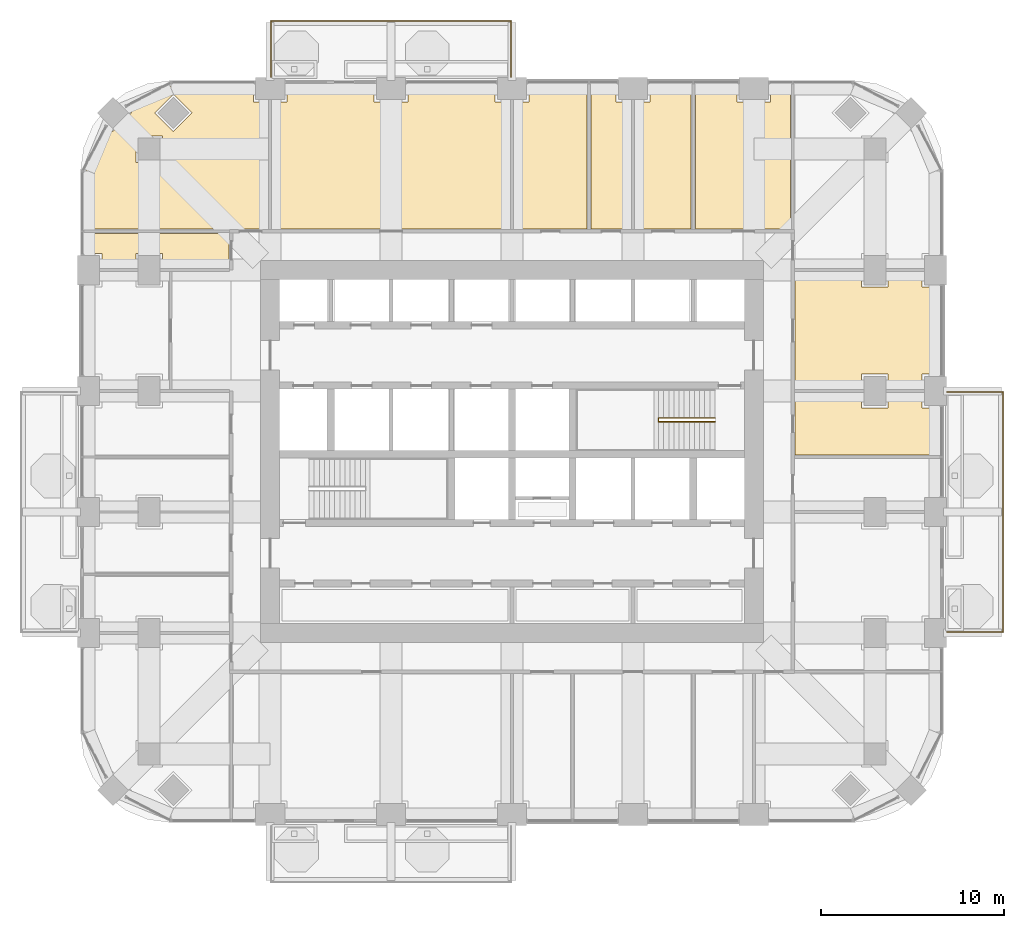
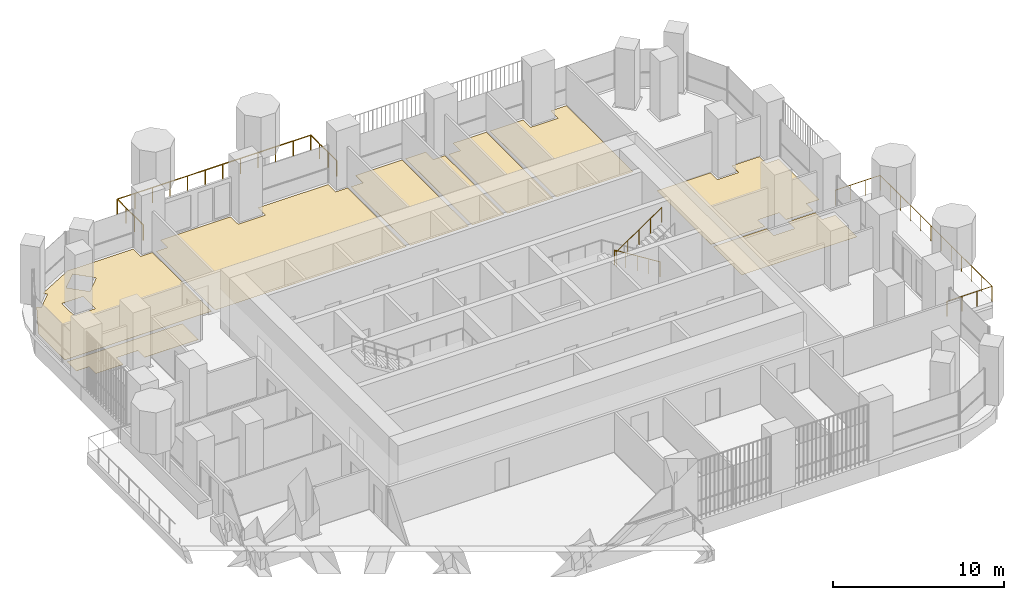
# One storey, part 18 of 20: 9 coverings, 3 railings.
"""IFC4 building model written with IfcOpenShell, lengths in metres."""

from ifc_helpers import new_model, si_unit, direction, frame, origin, place, context, subcontext, project, spatial, polyline, outline, extrude, material, layer, layer_set, type_object, element, save


model = new_model("IFC4")

# Units and contexts
model_context = context("Model", 3, precision=1e-05, world=origin(), true_north=direction((0.0, 1.0)))
body_context = subcontext(model_context, "Body", "Model", "MODEL_VIEW")
ifc_project = project(units=[si_unit("LENGTHUNIT", "METRE"), si_unit("AREAUNIT", "SQUARE_METRE"), si_unit("VOLUMEUNIT", "CUBIC_METRE"), si_unit("PLANEANGLEUNIT", "RADIAN"), si_unit("MASSUNIT", "GRAM", prefix="KILO")], contexts=[model_context])

# Site, building, storey
site_placement = place(None, origin())
site = spatial("IfcSite", under=ifc_project, at=site_placement, CompositionType="ELEMENT")
building_placement = place(site_placement, origin())
building = spatial("IfcBuilding", under=site, at=building_placement, Name="Cobogo Forest Laboratory Tower", CompositionType="ELEMENT")
storey_placement = place(building_placement, frame((0.0, 0.0, 168.300048828125)))
storey = spatial("IfcBuildingStorey", under=building, at=storey_placement, Name="L38", CompositionType="ELEMENT", Elevation=168.300048828125)

# Railings
ifc_material_1 = material(Name="Laminated glass balustrade", Category="glass")
railing_type_1 = type_object("IfcRailingType", Name="BG1 glass balustrade 1100", PredefinedType="GUARDRAIL", material=ifc_material_1)
railing_1_placement = place(storey_placement, frame((50.14990234375, 13.25, 0.0)))
element("IfcRailing", 1, at=railing_1_placement, inside=storey, type_object=railing_type_1, Name="Balcony balustrade BAL-E1 L38", PredefinedType="GUARDRAIL", context=body_context, shape_type="SweptSolid", body=[
    extrude(outline(polyline([(0.022216796875, 0.00927734375), (0.00927734375, 0.022216796875), (-0.00927734375, 0.022216796875), (-0.022216796875, 0.00927734375), (-0.022216796875, -0.00927734375), (-0.00927734375, -0.022216796875), (0.00927734375, -0.022216796875), (0.022216796875, -0.00927734375), (0.022216796875, 0.00927734375)])), frame((0.0, 0.0, 1.077880859375), z_axis=(1.0, 0.0, 0.0), x_axis=(0.0, 1.0, 0.0)), (0.0, 0.0, 1.0), 3.050048828125),
    extrude(outline(polyline([(0.022216796875, 0.00927734375), (0.00927734375, 0.022216796875), (-0.00927734375, 0.022216796875), (-0.022216796875, 0.00927734375), (-0.022216796875, -0.00927734375), (-0.00927734375, -0.022216796875), (0.00927734375, -0.022216796875), (0.022216796875, -0.00927734375), (0.022216796875, 0.00927734375)])), frame((3.050048828125, 0.0, 1.077880859375), z_axis=(0.0, 1.0, 0.0), x_axis=(-1.0, 0.0, 0.0)), (0.0, 0.0, 1.0), 13.10009765625),
    extrude(outline(polyline([(0.022216796875, 0.00927734375), (0.00927734375, 0.022216796875), (-0.00927734375, 0.022216796875), (-0.022216796875, 0.00927734375), (-0.022216796875, -0.00927734375), (-0.00927734375, -0.022216796875), (0.00927734375, -0.022216796875), (0.022216796875, -0.00927734375), (0.022216796875, 0.00927734375)])), frame((3.050048828125, 13.10009765625, 1.077880859375), z_axis=(-1.0, 0.0, 0.0), x_axis=(0.0, -1.0, 0.0)), (0.0, 0.0, 1.0), 3.050048828125),
    extrude(outline(polyline([(0.019287109375, 0.008056640625), (0.008056640625, 0.019287109375), (-0.008056640625, 0.019287109375), (-0.019287109375, 0.008056640625), (-0.019287109375, -0.008056640625), (-0.008056640625, -0.019287109375), (0.008056640625, -0.019287109375), (0.019287109375, -0.008056640625), (0.019287109375, 0.008056640625)])), origin(), (0.0, 0.0, 1.0), 1.077880859375),
    extrude(outline(polyline([(0.019287109375, 0.008056640625), (0.008056640625, 0.019287109375), (-0.008056640625, 0.019287109375), (-0.019287109375, 0.008056640625), (-0.019287109375, -0.008056640625), (-0.008056640625, -0.019287109375), (0.008056640625, -0.019287109375), (0.019287109375, -0.008056640625), (0.019287109375, 0.008056640625)])), frame((1.0166015625, 0.0, 0.0)), (0.0, 0.0, 1.0), 1.077880859375),
    extrude(outline(polyline([(0.019287109375, 0.008056640625), (0.008056640625, 0.019287109375), (-0.008056640625, 0.019287109375), (-0.019287109375, 0.008056640625), (-0.019287109375, -0.008056640625), (-0.008056640625, -0.019287109375), (0.008056640625, -0.019287109375), (0.019287109375, -0.008056640625), (0.019287109375, 0.008056640625)])), frame((2.033447265625, 0.0, 0.0)), (0.0, 0.0, 1.0), 1.077880859375),
    extrude(outline(polyline([(0.019287109375, 0.008056640625), (0.008056640625, 0.019287109375), (-0.008056640625, 0.019287109375), (-0.019287109375, 0.008056640625), (-0.019287109375, -0.008056640625), (-0.008056640625, -0.019287109375), (0.008056640625, -0.019287109375), (0.019287109375, -0.008056640625), (0.019287109375, 0.008056640625)])), frame((3.050048828125, 0.0, 0.0)), (0.0, 0.0, 1.0), 1.077880859375),
    extrude(outline(polyline([(0.019287109375, 0.008056640625), (0.008056640625, 0.019287109375), (-0.008056640625, 0.019287109375), (-0.019287109375, 0.008056640625), (-0.019287109375, -0.008056640625), (-0.008056640625, -0.019287109375), (0.008056640625, -0.019287109375), (0.019287109375, -0.008056640625), (0.019287109375, 0.008056640625)])), frame((3.050048828125, 1.19091796875, 0.0)), (0.0, 0.0, 1.0), 1.077880859375),
    extrude(outline(polyline([(0.019287109375, 0.008056640625), (0.008056640625, 0.019287109375), (-0.008056640625, 0.019287109375), (-0.019287109375, 0.008056640625), (-0.019287109375, -0.008056640625), (-0.008056640625, -0.019287109375), (0.008056640625, -0.019287109375), (0.019287109375, -0.008056640625), (0.019287109375, 0.008056640625)])), frame((3.050048828125, 2.3818359375, 0.0)), (0.0, 0.0, 1.0), 1.077880859375),
    extrude(outline(polyline([(0.019287109375, 0.008056640625), (0.008056640625, 0.019287109375), (-0.008056640625, 0.019287109375), (-0.019287109375, 0.008056640625), (-0.019287109375, -0.008056640625), (-0.008056640625, -0.019287109375), (0.008056640625, -0.019287109375), (0.019287109375, -0.008056640625), (0.019287109375, 0.008056640625)])), frame((3.050048828125, 3.57275390625, 0.0)), (0.0, 0.0, 1.0), 1.077880859375),
    extrude(outline(polyline([(0.019287109375, 0.008056640625), (0.008056640625, 0.019287109375), (-0.008056640625, 0.019287109375), (-0.019287109375, 0.008056640625), (-0.019287109375, -0.008056640625), (-0.008056640625, -0.019287109375), (0.008056640625, -0.019287109375), (0.019287109375, -0.008056640625), (0.019287109375, 0.008056640625)])), frame((3.050048828125, 4.763671875, 0.0)), (0.0, 0.0, 1.0), 1.077880859375),
    extrude(outline(polyline([(0.019287109375, 0.008056640625), (0.008056640625, 0.019287109375), (-0.008056640625, 0.019287109375), (-0.019287109375, 0.008056640625), (-0.019287109375, -0.008056640625), (-0.008056640625, -0.019287109375), (0.008056640625, -0.019287109375), (0.019287109375, -0.008056640625), (0.019287109375, 0.008056640625)])), frame((3.050048828125, 5.95458984375, 0.0)), (0.0, 0.0, 1.0), 1.077880859375),
    extrude(outline(polyline([(0.019287109375, 0.008056640625), (0.008056640625, 0.019287109375), (-0.008056640625, 0.019287109375), (-0.019287109375, 0.008056640625), (-0.019287109375, -0.008056640625), (-0.008056640625, -0.019287109375), (0.008056640625, -0.019287109375), (0.019287109375, -0.008056640625), (0.019287109375, 0.008056640625)])), frame((3.050048828125, 7.1455078125, 0.0)), (0.0, 0.0, 1.0), 1.077880859375),
    extrude(outline(polyline([(0.019287109375, 0.008056640625), (0.008056640625, 0.019287109375), (-0.008056640625, 0.019287109375), (-0.019287109375, 0.008056640625), (-0.019287109375, -0.008056640625), (-0.008056640625, -0.019287109375), (0.008056640625, -0.019287109375), (0.019287109375, -0.008056640625), (0.019287109375, 0.008056640625)])), frame((3.050048828125, 8.33642578125, 0.0)), (0.0, 0.0, 1.0), 1.077880859375),
    extrude(outline(polyline([(0.019287109375, 0.008056640625), (0.008056640625, 0.019287109375), (-0.008056640625, 0.019287109375), (-0.019287109375, 0.008056640625), (-0.019287109375, -0.008056640625), (-0.008056640625, -0.019287109375), (0.008056640625, -0.019287109375), (0.019287109375, -0.008056640625), (0.019287109375, 0.008056640625)])), frame((3.050048828125, 9.52734375, 0.0)), (0.0, 0.0, 1.0), 1.077880859375),
    extrude(outline(polyline([(0.019287109375, 0.008056640625), (0.008056640625, 0.019287109375), (-0.008056640625, 0.019287109375), (-0.019287109375, 0.008056640625), (-0.019287109375, -0.008056640625), (-0.008056640625, -0.019287109375), (0.008056640625, -0.019287109375), (0.019287109375, -0.008056640625), (0.019287109375, 0.008056640625)])), frame((3.050048828125, 10.71826171875, 0.0)), (0.0, 0.0, 1.0), 1.077880859375),
    extrude(outline(polyline([(0.019287109375, 0.008056640625), (0.008056640625, 0.019287109375), (-0.008056640625, 0.019287109375), (-0.019287109375, 0.008056640625), (-0.019287109375, -0.008056640625), (-0.008056640625, -0.019287109375), (0.008056640625, -0.019287109375), (0.019287109375, -0.008056640625), (0.019287109375, 0.008056640625)])), frame((3.050048828125, 11.9091796875, 0.0)), (0.0, 0.0, 1.0), 1.077880859375),
    extrude(outline(polyline([(0.019287109375, 0.008056640625), (0.008056640625, 0.019287109375), (-0.008056640625, 0.019287109375), (-0.019287109375, 0.008056640625), (-0.019287109375, -0.008056640625), (-0.008056640625, -0.019287109375), (0.008056640625, -0.019287109375), (0.019287109375, -0.008056640625), (0.019287109375, 0.008056640625)])), frame((3.050048828125, 13.10009765625, 0.0)), (0.0, 0.0, 1.0), 1.077880859375),
    extrude(outline(polyline([(0.019287109375, 0.008056640625), (0.008056640625, 0.019287109375), (-0.008056640625, 0.019287109375), (-0.019287109375, 0.008056640625), (-0.019287109375, -0.008056640625), (-0.008056640625, -0.019287109375), (0.008056640625, -0.019287109375), (0.019287109375, -0.008056640625), (0.019287109375, 0.008056640625)])), frame((2.033447265625, 13.10009765625, 0.0)), (0.0, 0.0, 1.0), 1.077880859375),
    extrude(outline(polyline([(0.019287109375, 0.008056640625), (0.008056640625, 0.019287109375), (-0.008056640625, 0.019287109375), (-0.019287109375, 0.008056640625), (-0.019287109375, -0.008056640625), (-0.008056640625, -0.019287109375), (0.008056640625, -0.019287109375), (0.019287109375, -0.008056640625), (0.019287109375, 0.008056640625)])), frame((1.0166015625, 13.10009765625, 0.0)), (0.0, 0.0, 1.0), 1.077880859375),
    extrude(outline(polyline([(0.019287109375, 0.008056640625), (0.008056640625, 0.019287109375), (-0.008056640625, 0.019287109375), (-0.019287109375, 0.008056640625), (-0.019287109375, -0.008056640625), (-0.008056640625, -0.019287109375), (0.008056640625, -0.019287109375), (0.019287109375, -0.008056640625), (0.019287109375, 0.008056640625)])), frame((0.0, 13.10009765625, 0.0)), (0.0, 0.0, 1.0), 1.077880859375),
])
railing_2_placement = place(storey_placement, frame((13.25, 43.550048828125, 0.0)))
element("IfcRailing", 2, at=railing_2_placement, inside=storey, type_object=railing_type_1, Name="Balcony balustrade BAL-N1 L38", PredefinedType="GUARDRAIL", context=body_context, shape_type="SweptSolid", body=[
    extrude(outline(polyline([(0.022216796875, 0.00927734375), (0.00927734375, 0.022216796875), (-0.00927734375, 0.022216796875), (-0.022216796875, 0.00927734375), (-0.022216796875, -0.00927734375), (-0.00927734375, -0.022216796875), (0.00927734375, -0.022216796875), (0.022216796875, -0.00927734375), (0.022216796875, 0.00927734375)])), frame((0.0, 0.0, 1.077880859375), z_axis=(0.0, 1.0, 0.0), x_axis=(-1.0, 0.0, 0.0)), (0.0, 0.0, 1.0), 3.050048828125),
    extrude(outline(polyline([(0.022216796875, 0.00927734375), (0.00927734375, 0.022216796875), (-0.00927734375, 0.022216796875), (-0.022216796875, 0.00927734375), (-0.022216796875, -0.00927734375), (-0.00927734375, -0.022216796875), (0.00927734375, -0.022216796875), (0.022216796875, -0.00927734375), (0.022216796875, 0.00927734375)])), frame((0.0, 3.050048828125, 1.077880859375), z_axis=(1.0, 0.0, 0.0), x_axis=(0.0, 1.0, 0.0)), (0.0, 0.0, 1.0), 13.10009765625),
    extrude(outline(polyline([(0.022216796875, 0.00927734375), (0.00927734375, 0.022216796875), (-0.00927734375, 0.022216796875), (-0.022216796875, 0.00927734375), (-0.022216796875, -0.00927734375), (-0.00927734375, -0.022216796875), (0.00927734375, -0.022216796875), (0.022216796875, -0.00927734375), (0.022216796875, 0.00927734375)])), frame((13.10009765625, 3.050048828125, 1.077880859375), z_axis=(0.0, -1.0, 0.0), x_axis=(1.0, 0.0, 0.0)), (0.0, 0.0, 1.0), 3.050048828125),
    extrude(outline(polyline([(0.019287109375, 0.008056640625), (0.008056640625, 0.019287109375), (-0.008056640625, 0.019287109375), (-0.019287109375, 0.008056640625), (-0.019287109375, -0.008056640625), (-0.008056640625, -0.019287109375), (0.008056640625, -0.019287109375), (0.019287109375, -0.008056640625), (0.019287109375, 0.008056640625)])), origin(), (0.0, 0.0, 1.0), 1.077880859375),
    extrude(outline(polyline([(0.019287109375, 0.008056640625), (0.008056640625, 0.019287109375), (-0.008056640625, 0.019287109375), (-0.019287109375, 0.008056640625), (-0.019287109375, -0.008056640625), (-0.008056640625, -0.019287109375), (0.008056640625, -0.019287109375), (0.019287109375, -0.008056640625), (0.019287109375, 0.008056640625)])), frame((0.0, 1.0166015625, 0.0)), (0.0, 0.0, 1.0), 1.077880859375),
    extrude(outline(polyline([(0.019287109375, 0.008056640625), (0.008056640625, 0.019287109375), (-0.008056640625, 0.019287109375), (-0.019287109375, 0.008056640625), (-0.019287109375, -0.008056640625), (-0.008056640625, -0.019287109375), (0.008056640625, -0.019287109375), (0.019287109375, -0.008056640625), (0.019287109375, 0.008056640625)])), frame((0.0, 2.033447265625, 0.0)), (0.0, 0.0, 1.0), 1.077880859375),
    extrude(outline(polyline([(0.019287109375, 0.008056640625), (0.008056640625, 0.019287109375), (-0.008056640625, 0.019287109375), (-0.019287109375, 0.008056640625), (-0.019287109375, -0.008056640625), (-0.008056640625, -0.019287109375), (0.008056640625, -0.019287109375), (0.019287109375, -0.008056640625), (0.019287109375, 0.008056640625)])), frame((0.0, 3.050048828125, 0.0)), (0.0, 0.0, 1.0), 1.077880859375),
    extrude(outline(polyline([(0.019287109375, 0.008056640625), (0.008056640625, 0.019287109375), (-0.008056640625, 0.019287109375), (-0.019287109375, 0.008056640625), (-0.019287109375, -0.008056640625), (-0.008056640625, -0.019287109375), (0.008056640625, -0.019287109375), (0.019287109375, -0.008056640625), (0.019287109375, 0.008056640625)])), frame((1.19091796875, 3.050048828125, 0.0)), (0.0, 0.0, 1.0), 1.077880859375),
    extrude(outline(polyline([(0.019287109375, 0.008056640625), (0.008056640625, 0.019287109375), (-0.008056640625, 0.019287109375), (-0.019287109375, 0.008056640625), (-0.019287109375, -0.008056640625), (-0.008056640625, -0.019287109375), (0.008056640625, -0.019287109375), (0.019287109375, -0.008056640625), (0.019287109375, 0.008056640625)])), frame((2.3818359375, 3.050048828125, 0.0)), (0.0, 0.0, 1.0), 1.077880859375),
    extrude(outline(polyline([(0.019287109375, 0.008056640625), (0.008056640625, 0.019287109375), (-0.008056640625, 0.019287109375), (-0.019287109375, 0.008056640625), (-0.019287109375, -0.008056640625), (-0.008056640625, -0.019287109375), (0.008056640625, -0.019287109375), (0.019287109375, -0.008056640625), (0.019287109375, 0.008056640625)])), frame((3.57275390625, 3.050048828125, 0.0)), (0.0, 0.0, 1.0), 1.077880859375),
    extrude(outline(polyline([(0.019287109375, 0.008056640625), (0.008056640625, 0.019287109375), (-0.008056640625, 0.019287109375), (-0.019287109375, 0.008056640625), (-0.019287109375, -0.008056640625), (-0.008056640625, -0.019287109375), (0.008056640625, -0.019287109375), (0.019287109375, -0.008056640625), (0.019287109375, 0.008056640625)])), frame((4.763671875, 3.050048828125, 0.0)), (0.0, 0.0, 1.0), 1.077880859375),
    extrude(outline(polyline([(0.019287109375, 0.008056640625), (0.008056640625, 0.019287109375), (-0.008056640625, 0.019287109375), (-0.019287109375, 0.008056640625), (-0.019287109375, -0.008056640625), (-0.008056640625, -0.019287109375), (0.008056640625, -0.019287109375), (0.019287109375, -0.008056640625), (0.019287109375, 0.008056640625)])), frame((5.95458984375, 3.050048828125, 0.0)), (0.0, 0.0, 1.0), 1.077880859375),
    extrude(outline(polyline([(0.019287109375, 0.008056640625), (0.008056640625, 0.019287109375), (-0.008056640625, 0.019287109375), (-0.019287109375, 0.008056640625), (-0.019287109375, -0.008056640625), (-0.008056640625, -0.019287109375), (0.008056640625, -0.019287109375), (0.019287109375, -0.008056640625), (0.019287109375, 0.008056640625)])), frame((7.1455078125, 3.050048828125, 0.0)), (0.0, 0.0, 1.0), 1.077880859375),
    extrude(outline(polyline([(0.019287109375, 0.008056640625), (0.008056640625, 0.019287109375), (-0.008056640625, 0.019287109375), (-0.019287109375, 0.008056640625), (-0.019287109375, -0.008056640625), (-0.008056640625, -0.019287109375), (0.008056640625, -0.019287109375), (0.019287109375, -0.008056640625), (0.019287109375, 0.008056640625)])), frame((8.33642578125, 3.050048828125, 0.0)), (0.0, 0.0, 1.0), 1.077880859375),
    extrude(outline(polyline([(0.019287109375, 0.008056640625), (0.008056640625, 0.019287109375), (-0.008056640625, 0.019287109375), (-0.019287109375, 0.008056640625), (-0.019287109375, -0.008056640625), (-0.008056640625, -0.019287109375), (0.008056640625, -0.019287109375), (0.019287109375, -0.008056640625), (0.019287109375, 0.008056640625)])), frame((9.52734375, 3.050048828125, 0.0)), (0.0, 0.0, 1.0), 1.077880859375),
    extrude(outline(polyline([(0.019287109375, 0.008056640625), (0.008056640625, 0.019287109375), (-0.008056640625, 0.019287109375), (-0.019287109375, 0.008056640625), (-0.019287109375, -0.008056640625), (-0.008056640625, -0.019287109375), (0.008056640625, -0.019287109375), (0.019287109375, -0.008056640625), (0.019287109375, 0.008056640625)])), frame((10.71826171875, 3.050048828125, 0.0)), (0.0, 0.0, 1.0), 1.077880859375),
    extrude(outline(polyline([(0.019287109375, 0.008056640625), (0.008056640625, 0.019287109375), (-0.008056640625, 0.019287109375), (-0.019287109375, 0.008056640625), (-0.019287109375, -0.008056640625), (-0.008056640625, -0.019287109375), (0.008056640625, -0.019287109375), (0.019287109375, -0.008056640625), (0.019287109375, 0.008056640625)])), frame((11.9091796875, 3.050048828125, 0.0)), (0.0, 0.0, 1.0), 1.077880859375),
    extrude(outline(polyline([(0.019287109375, 0.008056640625), (0.008056640625, 0.019287109375), (-0.008056640625, 0.019287109375), (-0.019287109375, 0.008056640625), (-0.019287109375, -0.008056640625), (-0.008056640625, -0.019287109375), (0.008056640625, -0.019287109375), (0.019287109375, -0.008056640625), (0.019287109375, 0.008056640625)])), frame((13.10009765625, 3.050048828125, 0.0)), (0.0, 0.0, 1.0), 1.077880859375),
    extrude(outline(polyline([(0.019287109375, 0.008056640625), (0.008056640625, 0.019287109375), (-0.008056640625, 0.019287109375), (-0.019287109375, 0.008056640625), (-0.019287109375, -0.008056640625), (-0.008056640625, -0.019287109375), (0.008056640625, -0.019287109375), (0.019287109375, -0.008056640625), (0.019287109375, 0.008056640625)])), frame((13.10009765625, 2.033447265625, 0.0)), (0.0, 0.0, 1.0), 1.077880859375),
    extrude(outline(polyline([(0.019287109375, 0.008056640625), (0.008056640625, 0.019287109375), (-0.008056640625, 0.019287109375), (-0.019287109375, 0.008056640625), (-0.019287109375, -0.008056640625), (-0.008056640625, -0.019287109375), (0.008056640625, -0.019287109375), (0.019287109375, -0.008056640625), (0.019287109375, 0.008056640625)])), frame((13.10009765625, 1.0166015625, 0.0)), (0.0, 0.0, 1.0), 1.077880859375),
    extrude(outline(polyline([(0.019287109375, 0.008056640625), (0.008056640625, 0.019287109375), (-0.008056640625, 0.019287109375), (-0.019287109375, 0.008056640625), (-0.019287109375, -0.008056640625), (-0.008056640625, -0.019287109375), (0.008056640625, -0.019287109375), (0.019287109375, -0.008056640625), (0.019287109375, 0.008056640625)])), frame((13.10009765625, 0.0, 0.0)), (0.0, 0.0, 1.0), 1.077880859375),
])

# Coverings
ifc_material_2 = material(Name="Carpet tile on raised access floor", Category="flooring")
ifc_layer_1 = layer(ifc_material_2, 0.008056640625)
ifc_layer_set_1 = layer_set([ifc_layer_1], Name="CT1 carpet tile floor 8")
covering_type_1 = type_object("IfcCoveringType", Name="CT1 carpet tile floor 8", PredefinedType="FLOORING", material=ifc_layer_set_1)
covering_1_placement = place(storey_placement, origin())
element("IfcCovering", 3, at=covering_1_placement, inside=storey, type_object=covering_type_1, Name="Carpet floor L38-13", PredefinedType="FLOORING", context=body_context, shape_type="SweptSolid", body=[
    extrude(outline(polyline([(26.52001953125, 35.2451171875), (26.52001953125, 42.179931640625), (27.320068359375, 42.179931640625), (27.320068359375, 43.050048828125), (30.47998046875, 43.050048828125), (30.47998046875, 35.2451171875), (26.52001953125, 35.2451171875)])), origin(), (0.0, 0.0, 1.0), 0.008056640625),
])
covering_2_placement = place(storey_placement, origin())
element("IfcCovering", 4, at=covering_2_placement, inside=storey, type_object=covering_type_1, Name="Carpet floor L38-23", PredefinedType="FLOORING", context=body_context, shape_type="SweptSolid", body=[
    extrude(outline(polyline([(10.955078125, 33.1201171875), (7.320068359375, 33.1201171875), (7.320068359375, 33.919921875), (5.8798828125, 33.919921875), (5.8798828125, 33.1201171875), (4.02001953125, 33.1201171875), (4.02001953125, 33.919921875), (3.14990234375, 33.919921875), (3.14990234375, 35.0048828125), (10.955078125, 35.0048828125), (10.955078125, 33.1201171875)])), origin(), (0.0, 0.0, 1.0), 0.008056640625),
])

# Railing
ifc_material_3 = material(Name="Steel balustrade", Category="steel")
railing_type_2 = type_object("IfcRailingType", Name="GR stair guard 1100", PredefinedType="GUARDRAIL", material=ifc_material_3)
railing_3_placement = place(storey_placement, frame((37.47509765625, 24.929931640625, 0.175048828125)))
element("IfcRailing", 5, at=railing_3_placement, inside=storey, type_object=railing_type_2, Name="Stair guard ST2 L38", PredefinedType="GUARDRAIL", context=body_context, shape_type="SweptSolid", body=[
    extrude(outline(polyline([(0.022216796875, 0.00927734375), (0.00927734375, 0.022216796875), (-0.00927734375, 0.022216796875), (-0.022216796875, 0.00927734375), (-0.022216796875, -0.00927734375), (-0.00927734375, -0.022216796875), (0.00927734375, -0.022216796875), (0.022216796875, -0.00927734375), (0.022216796875, 0.00927734375)])), frame((0.0, 0.0, 1.077880859375), z_axis=(-0.848028513186, 0.0, 0.529950602248), x_axis=(0.0, -1.0, 0.0)), (0.0, 0.0, 1.0), 3.632080078125),
    extrude(outline(polyline([(0.022216796875, 0.00927734375), (0.00927734375, 0.022216796875), (-0.00927734375, 0.022216796875), (-0.022216796875, 0.00927734375), (-0.022216796875, -0.00927734375), (-0.00927734375, -0.022216796875), (0.00927734375, -0.022216796875), (0.022216796875, -0.00927734375), (0.022216796875, 0.00927734375)])), frame((-3.080078125, 0.0, 3.002685546875), z_axis=(0.0, -1.0, 0.0), x_axis=(1.0, 0.0, 0.0)), (0.0, 0.0, 1.0), 0.2099609375),
    extrude(outline(polyline([(0.022216796875, 0.00927734375), (0.00927734375, 0.022216796875), (-0.00927734375, 0.022216796875), (-0.022216796875, 0.00927734375), (-0.022216796875, -0.00927734375), (-0.00927734375, -0.022216796875), (0.00927734375, -0.022216796875), (0.022216796875, -0.00927734375), (0.022216796875, 0.00927734375)])), frame((-3.080078125, -0.2099609375, 3.002685546875), z_axis=(0.826221800596, 0.0, 0.563344953133), x_axis=(0.0, 1.0, 0.0)), (0.0, 0.0, 1.0), 3.72802734375),
    extrude(outline(polyline([(0.019287109375, 0.008056640625), (0.008056640625, 0.019287109375), (-0.008056640625, 0.019287109375), (-0.019287109375, 0.008056640625), (-0.019287109375, -0.008056640625), (-0.008056640625, -0.019287109375), (0.008056640625, -0.019287109375), (0.019287109375, -0.008056640625), (0.019287109375, 0.008056640625)])), origin(), (0.0, 0.0, 1.0), 1.077880859375),
    extrude(outline(polyline([(0.019287109375, 0.008056640625), (0.008056640625, 0.019287109375), (-0.008056640625, 0.019287109375), (-0.019287109375, 0.008056640625), (-0.019287109375, -0.008056640625), (-0.008056640625, -0.019287109375), (0.008056640625, -0.019287109375), (0.019287109375, -0.008056640625), (0.019287109375, 0.008056640625)])), frame((-0.77001953125, 0.0, 0.481201171875)), (0.0, 0.0, 1.0), 1.077880859375),
    extrude(outline(polyline([(0.019287109375, 0.008056640625), (0.008056640625, 0.019287109375), (-0.008056640625, 0.019287109375), (-0.019287109375, 0.008056640625), (-0.019287109375, -0.008056640625), (-0.008056640625, -0.019287109375), (0.008056640625, -0.019287109375), (0.019287109375, -0.008056640625), (0.019287109375, 0.008056640625)])), frame((-1.5400390625, 0.0, 0.96240234375)), (0.0, 0.0, 1.0), 1.077880859375),
    extrude(outline(polyline([(0.019287109375, 0.008056640625), (0.008056640625, 0.019287109375), (-0.008056640625, 0.019287109375), (-0.019287109375, 0.008056640625), (-0.019287109375, -0.008056640625), (-0.008056640625, -0.019287109375), (0.008056640625, -0.019287109375), (0.019287109375, -0.008056640625), (0.019287109375, 0.008056640625)])), frame((-2.31005859375, 0.0, 1.443603515625)), (0.0, 0.0, 1.0), 1.077880859375),
    extrude(outline(polyline([(0.019287109375, 0.008056640625), (0.008056640625, 0.019287109375), (-0.008056640625, 0.019287109375), (-0.019287109375, 0.008056640625), (-0.019287109375, -0.008056640625), (-0.008056640625, -0.019287109375), (0.008056640625, -0.019287109375), (0.019287109375, -0.008056640625), (0.019287109375, 0.008056640625)])), frame((-3.080078125, 0.0, 1.9248046875)), (0.0, 0.0, 1.0), 1.077880859375),
    extrude(outline(polyline([(0.019287109375, 0.008056640625), (0.008056640625, 0.019287109375), (-0.008056640625, 0.019287109375), (-0.019287109375, 0.008056640625), (-0.019287109375, -0.008056640625), (-0.008056640625, -0.019287109375), (0.008056640625, -0.019287109375), (0.019287109375, -0.008056640625), (0.019287109375, 0.008056640625)])), frame((-3.080078125, -0.2099609375, 1.9248046875)), (0.0, 0.0, 1.0), 1.077880859375),
    extrude(outline(polyline([(0.019287109375, 0.008056640625), (0.008056640625, 0.019287109375), (-0.008056640625, 0.019287109375), (-0.019287109375, 0.008056640625), (-0.019287109375, -0.008056640625), (-0.008056640625, -0.019287109375), (0.008056640625, -0.019287109375), (0.019287109375, -0.008056640625), (0.019287109375, 0.008056640625)])), frame((-2.31005859375, -0.2099609375, 2.44970703125)), (0.0, 0.0, 1.0), 1.077880859375),
    extrude(outline(polyline([(0.019287109375, 0.008056640625), (0.008056640625, 0.019287109375), (-0.008056640625, 0.019287109375), (-0.019287109375, 0.008056640625), (-0.019287109375, -0.008056640625), (-0.008056640625, -0.019287109375), (0.008056640625, -0.019287109375), (0.019287109375, -0.008056640625), (0.019287109375, 0.008056640625)])), frame((-1.5400390625, -0.2099609375, 2.974853515625)), (0.0, 0.0, 1.0), 1.077880859375),
    extrude(outline(polyline([(0.019287109375, 0.008056640625), (0.008056640625, 0.019287109375), (-0.008056640625, 0.019287109375), (-0.019287109375, 0.008056640625), (-0.019287109375, -0.008056640625), (-0.008056640625, -0.019287109375), (0.008056640625, -0.019287109375), (0.019287109375, -0.008056640625), (0.019287109375, 0.008056640625)])), frame((-0.77001953125, -0.2099609375, 3.5)), (0.0, 0.0, 1.0), 1.077880859375),
    extrude(outline(polyline([(0.019287109375, 0.008056640625), (0.008056640625, 0.019287109375), (-0.008056640625, 0.019287109375), (-0.019287109375, 0.008056640625), (-0.019287109375, -0.008056640625), (-0.008056640625, -0.019287109375), (0.008056640625, -0.019287109375), (0.019287109375, -0.008056640625), (0.019287109375, 0.008056640625)])), frame((0.0, -0.2099609375, 4.02490234375)), (0.0, 0.0, 1.0), 1.077880859375),
])

# Coverings
ifc_material_4 = material(Name="Static-dissipative vinyl flooring", Category="flooring")
ifc_layer_2 = layer(ifc_material_4, 0.0029296875)
ifc_layer_set_2 = layer_set([ifc_layer_2], Name="SD1 static-dissipative vinyl floor 3")
covering_type_2 = type_object("IfcCoveringType", Name="SD1 static-dissipative vinyl floor 3", PredefinedType="FLOORING", material=ifc_layer_set_2)
covering_3_placement = place(storey_placement, origin())
element("IfcCovering", 6, at=covering_3_placement, inside=storey, type_object=covering_type_2, Name="Static-dissipative floor L38-08", PredefinedType="FLOORING", context=body_context, shape_type="SweptSolid", body=[
    extrude(outline(polyline([(41.844970703125, 26.280029296875), (45.47998046875, 26.280029296875), (45.47998046875, 25.47998046875), (46.919921875, 25.47998046875), (46.919921875, 26.280029296875), (48.780029296875, 26.280029296875), (48.780029296875, 25.47998046875), (49.64990234375, 25.47998046875), (49.64990234375, 22.919921875), (41.844970703125, 22.919921875), (41.844970703125, 26.280029296875)])), origin(), (0.0, 0.0, 1.0), 0.0029296875),
])
covering_4_placement = place(storey_placement, origin())
element("IfcCovering", 7, at=covering_4_placement, inside=storey, type_object=covering_type_2, Name="Static-dissipative floor L38-09", PredefinedType="FLOORING", context=body_context, shape_type="SweptSolid", body=[
    extrude(outline(polyline([(41.844970703125, 32.8798828125), (45.47998046875, 32.8798828125), (45.47998046875, 32.080078125), (46.919921875, 32.080078125), (46.919921875, 32.8798828125), (48.780029296875, 32.8798828125), (48.780029296875, 32.080078125), (49.64990234375, 32.080078125), (49.64990234375, 27.320068359375), (48.780029296875, 27.320068359375), (48.780029296875, 26.52001953125), (46.919921875, 26.52001953125), (46.919921875, 27.320068359375), (45.47998046875, 27.320068359375), (45.47998046875, 26.52001953125), (41.844970703125, 26.52001953125), (41.844970703125, 32.8798828125)])), origin(), (0.0, 0.0, 1.0), 0.0029296875),
])
covering_5_placement = place(storey_placement, origin())
element("IfcCovering", 8, at=covering_5_placement, inside=storey, type_object=covering_type_2, Name="Static-dissipative floor L38-11", PredefinedType="FLOORING", context=body_context, shape_type="SweptSolid", body=[
    extrude(outline(polyline([(3.14990234375, 35.2451171875), (3.14990234375, 38.350830078125), (4.416015625, 40.765869140625), (4.617919921875, 40.563720703125), (5.63623046875, 41.58203125), (5.434326171875, 41.783935546875), (7.84912109375, 43.050048828125), (12.280029296875, 43.050048828125), (12.280029296875, 42.179931640625), (13.080078125, 42.179931640625), (13.080078125, 35.2451171875), (3.14990234375, 35.2451171875)]), holes=[polyline([(7.91796875, 40.563720703125), (8.936279296875, 41.58203125), (7.91796875, 42.60009765625), (6.89990234375, 41.58203125), (7.91796875, 40.563720703125)]), polyline([(5.8798828125, 38.8798828125), (7.320068359375, 38.8798828125), (7.320068359375, 40.320068359375), (5.8798828125, 40.320068359375), (5.8798828125, 38.8798828125)])]), origin(), (0.0, 0.0, 1.0), 0.0029296875),
])
covering_6_placement = place(storey_placement, origin())
element("IfcCovering", 9, at=covering_6_placement, inside=storey, type_object=covering_type_2, Name="Static-dissipative floor L38-12", PredefinedType="FLOORING", context=body_context, shape_type="SweptSolid", body=[
    extrude(outline(polyline([(13.320068359375, 35.2451171875), (13.320068359375, 42.179931640625), (14.1201171875, 42.179931640625), (14.1201171875, 43.050048828125), (18.8798828125, 43.050048828125), (18.8798828125, 42.179931640625), (20.719970703125, 42.179931640625), (20.719970703125, 43.050048828125), (25.47998046875, 43.050048828125), (25.47998046875, 42.179931640625), (26.280029296875, 42.179931640625), (26.280029296875, 35.2451171875), (13.320068359375, 35.2451171875)])), origin(), (0.0, 0.0, 1.0), 0.0029296875),
])
covering_7_placement = place(storey_placement, origin())
element("IfcCovering", 10, at=covering_7_placement, inside=storey, type_object=covering_type_2, Name="Static-dissipative floor L38-15", PredefinedType="FLOORING", context=body_context, shape_type="SweptSolid", body=[
    extrude(outline(polyline([(33.1201171875, 35.2451171875), (33.1201171875, 42.179931640625), (33.919921875, 42.179931640625), (33.919921875, 43.050048828125), (36.179931640625, 43.050048828125), (36.179931640625, 35.2451171875), (33.1201171875, 35.2451171875)])), origin(), (0.0, 0.0, 1.0), 0.0029296875),
])
covering_8_placement = place(storey_placement, origin())
element("IfcCovering", 11, at=covering_8_placement, inside=storey, type_object=covering_type_2, Name="Static-dissipative floor L38-16", PredefinedType="FLOORING", context=body_context, shape_type="SweptSolid", body=[
    extrude(outline(polyline([(36.419921875, 35.2451171875), (36.419921875, 43.050048828125), (38.679931640625, 43.050048828125), (38.679931640625, 42.179931640625), (40.52001953125, 42.179931640625), (40.52001953125, 43.050048828125), (41.60498046875, 43.050048828125), (41.60498046875, 35.2451171875), (36.419921875, 35.2451171875)])), origin(), (0.0, 0.0, 1.0), 0.0029296875),
])
ifc_material_5 = material(Name="Ceramic floor tile", Category="flooring")
ifc_layer_3 = layer(ifc_material_5, 0.010009765625)
ifc_layer_set_3 = layer_set([ifc_layer_3], Name="TF1 ceramic tile floor 10")
covering_type_3 = type_object("IfcCoveringType", Name="TF1 ceramic tile floor 10", PredefinedType="FLOORING", material=ifc_layer_set_3)
covering_9_placement = place(storey_placement, origin())
element("IfcCovering", 12, at=covering_9_placement, inside=storey, type_object=covering_type_3, Name="Tile floor L38-14", PredefinedType="FLOORING", context=body_context, shape_type="SweptSolid", body=[
    extrude(outline(polyline([(30.719970703125, 35.2451171875), (30.719970703125, 43.050048828125), (32.080078125, 43.050048828125), (32.080078125, 42.179931640625), (32.8798828125, 42.179931640625), (32.8798828125, 35.2451171875), (30.719970703125, 35.2451171875)])), origin(), (0.0, 0.0, 1.0), 0.010009765625),
])

save(model, "model.ifc")
